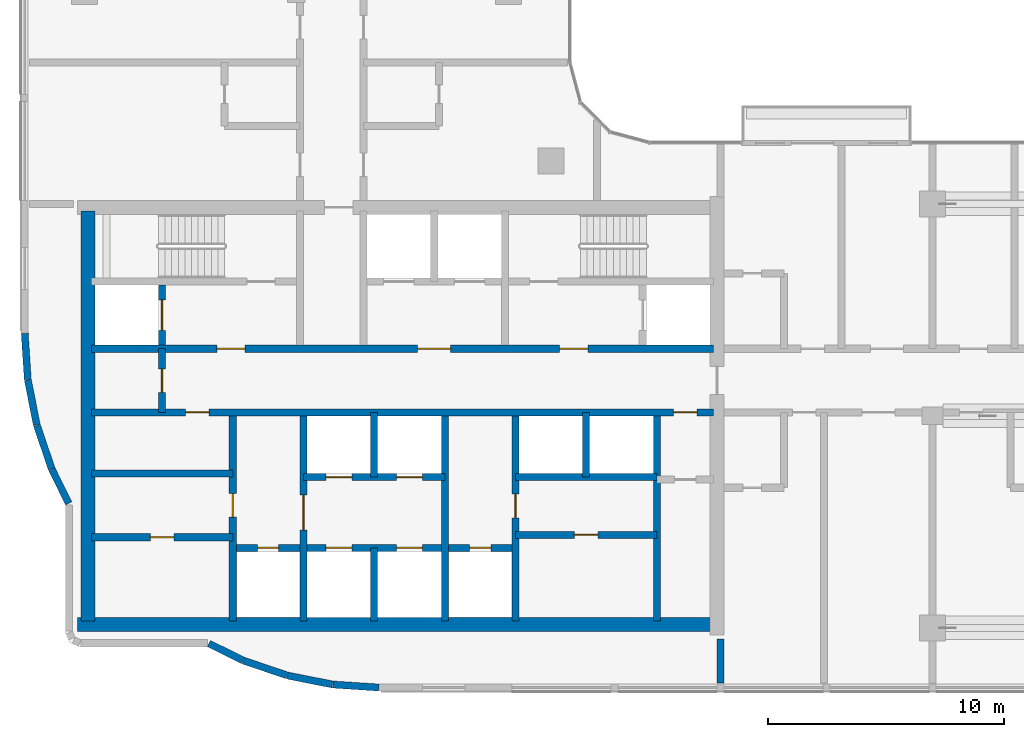
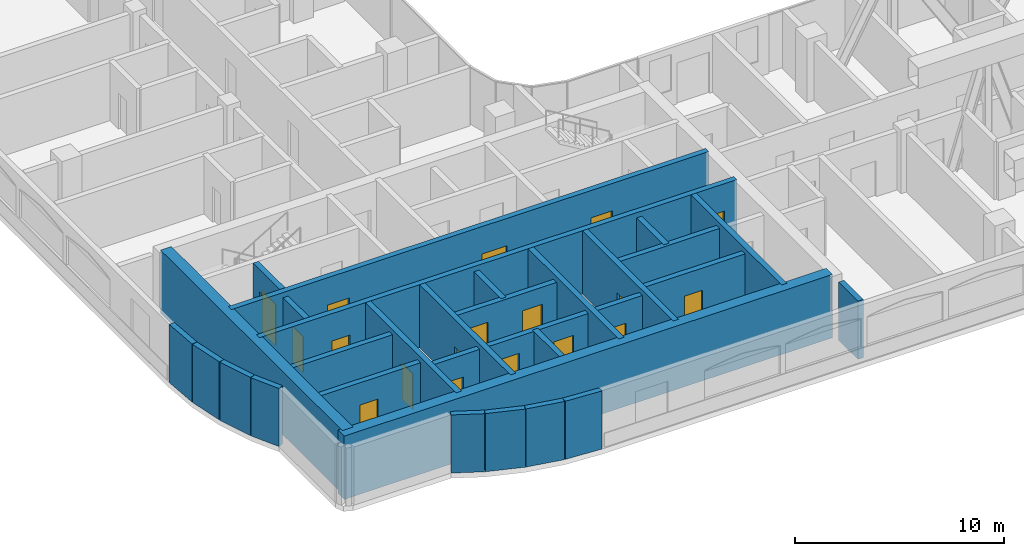
# One storey, part 9 of 25: 29 walls, 18 doors, 18 openings.
"""IFC4 building model written with IfcOpenShell, lengths in metres."""

from ifc_helpers import new_model, si_unit, direction, frame, frame_2d, origin, place, context, subcontext, project, spatial, rectangle, extrude, material, layer, layer_set, type_object, element, fill, save


model = new_model("IFC4")

# Units and contexts
model_context = context("Model", 3, precision=1e-05, world=origin(), true_north=direction((0.0, 1.0)))
body_context = subcontext(model_context, "Body", "Model", "MODEL_VIEW")
ifc_project = project(units=[si_unit("LENGTHUNIT", "METRE"), si_unit("AREAUNIT", "SQUARE_METRE"), si_unit("VOLUMEUNIT", "CUBIC_METRE"), si_unit("PLANEANGLEUNIT", "RADIAN"), si_unit("MASSUNIT", "GRAM", prefix="KILO")], contexts=[model_context])

# Site, building, storey
site_placement = place(None, origin())
site = spatial("IfcSite", under=ifc_project, at=site_placement, CompositionType="ELEMENT")
building_placement = place(site_placement, origin())
building = spatial("IfcBuilding", under=site, at=building_placement, Name="Ogive Portal Towers", CompositionType="ELEMENT")
storey_placement = place(building_placement, frame((0.0, 0.0, 182.89990234375)))
storey = spatial("IfcBuildingStorey", under=building, at=storey_placement, Name="L45", CompositionType="ELEMENT", Elevation=182.89990234375)

# Wall, opening, door
ifc_material_1 = material(Name="Concrete C60/75", Category="concrete")
ifc_layer_1 = layer(ifc_material_1, 0.300048828125)
ifc_layer_set_1 = layer_set([ifc_layer_1], Name="CORE WALL 300 C60")
wall_type_1 = type_object("IfcWallType", Name="CORE WALL 300 C60", PredefinedType="SHEAR", material=ifc_layer_set_1)
wall_1_placement = place(storey_placement, frame((37.800048828125, 21.800048828125, 0.0), z_axis=(0.0, 0.0, 1.0), x_axis=(0.0, 1.0, 0.0)))
wall_1 = element("IfcWall", 1, at=wall_1_placement, inside=storey, type_object=wall_type_1, Name="Core wall X1 L45", PredefinedType="SHEAR", context=body_context, shape_type="SweptSolid", body=[
    extrude(rectangle(XDim=8.699951171875, YDim=0.300048828125, at=frame_2d((4.35009765625, 0.0))), origin(), (0.0, 0.0, 1.0), 3.7001953125),
])
opening_1_placement = place(wall_1_placement, frame((4.39990234375, 0.0, 0.0)))
opening_1 = element("IfcOpeningElement", 2, at=opening_1_placement, cuts=wall_1, Name="Opening D20-022", PredefinedType="OPENING", context=body_context, shape_type="SweptSolid", body=[
    extrude(rectangle(XDim=1.0, YDim=2.10009765625, at=frame_2d((0.5, 1.050048828125))), frame((0.0, 0.16015625, 0.0), z_axis=(0.0, -1.0, 0.0), x_axis=(1.0, 0.0, 0.0)), (0.0, 0.0, 1.0), 0.320068359375),
])
ifc_material_2 = material(Name="Steel fire door", Category="steel")
door_type_1 = type_object("IfcDoorType", Name="DT-SWING-1000x2100-FD90S", OperationType="SINGLE_SWING_LEFT", PredefinedType="DOOR", material=ifc_material_2)
door_1_placement = place(opening_1_placement, origin())
door_1 = element("IfcDoor", 3, at=door_1_placement, inside=storey, type_object=door_type_1, Name="Door D20-022", OperationType="SINGLE_SWING_RIGHT", OverallHeight=2.10009765625, OverallWidth=1.0, PredefinedType="DOOR", context=body_context, shape_type="SweptSolid", body=[
    extrude(rectangle(XDim=1.0, YDim=2.10009765625, at=frame_2d((0.5, 1.050048828125))), frame((0.0, 0.02490234375, 0.0), z_axis=(0.0, -1.0, 0.0), x_axis=(1.0, 0.0, 0.0)), (0.0, 0.0, 1.0), 0.050048828125),
])
fill(opening_1, door_1)

wall_2_placement = place(storey_placement, frame((40.800048828125, 21.800048828125, 0.0), z_axis=(0.0, 0.0, 1.0), x_axis=(0.0, 1.0, 0.0)))
wall_2 = element("IfcWall", 4, at=wall_2_placement, inside=storey, type_object=wall_type_1, Name="Core wall X2 L45", PredefinedType="SHEAR", context=body_context, shape_type="SweptSolid", body=[
    extrude(rectangle(XDim=8.699951171875, YDim=0.300048828125, at=frame_2d((4.35009765625, 0.0))), origin(), (0.0, 0.0, 1.0), 3.7001953125),
])
opening_2_placement = place(wall_2_placement, frame((3.85009765625, 0.0, 0.0)))
opening_2 = element("IfcOpeningElement", 5, at=opening_2_placement, cuts=wall_2, Name="Opening D20-001", PredefinedType="OPENING", context=body_context, shape_type="SweptSolid", body=[
    extrude(rectangle(XDim=1.5, YDim=2.10009765625, at=frame_2d((0.75, 1.050048828125))), frame((0.0, 0.16015625, 0.0), z_axis=(0.0, -1.0, 0.0), x_axis=(1.0, 0.0, 0.0)), (0.0, 0.0, 1.0), 0.320068359375),
])
door_type_2 = type_object("IfcDoorType", Name="DT-SWING-1500x2100-FD90S", OperationType="SINGLE_SWING_LEFT", PredefinedType="DOOR", material=ifc_material_2)
door_2_placement = place(opening_2_placement, origin())
door_2 = element("IfcDoor", 6, at=door_2_placement, inside=storey, type_object=door_type_2, Name="Door D20-001", OperationType="SINGLE_SWING_RIGHT", OverallHeight=2.10009765625, OverallWidth=1.5, PredefinedType="DOOR", context=body_context, shape_type="SweptSolid", body=[
    extrude(rectangle(XDim=1.5, YDim=2.10009765625, at=frame_2d((0.75, 1.050048828125))), frame((0.0, 0.02490234375, 0.0), z_axis=(0.0, -1.0, 0.0), x_axis=(1.0, 0.0, 0.0)), (0.0, 0.0, 1.0), 0.050048828125),
])
fill(opening_2, door_2)

# Wall
wall_3_placement = place(storey_placement, frame((46.800048828125, 21.800048828125, 0.0), z_axis=(0.0, 0.0, 1.0), x_axis=(0.0, 1.0, 0.0)))
element("IfcWall", 7, at=wall_3_placement, inside=storey, type_object=wall_type_1, Name="Core wall X3 L45", PredefinedType="SHEAR", context=body_context, shape_type="SweptSolid", body=[
    extrude(rectangle(XDim=8.699951171875, YDim=0.300048828125, at=frame_2d((4.35009765625, 0.0))), origin(), (0.0, 0.0, 1.0), 3.7001953125),
])

# Wall, opening, door
wall_4_placement = place(storey_placement, frame((49.800048828125, 21.800048828125, 0.0), z_axis=(0.0, 0.0, 1.0), x_axis=(0.0, 1.0, 0.0)))
wall_4 = element("IfcWall", 8, at=wall_4_placement, inside=storey, type_object=wall_type_1, Name="Core wall X4 L45", PredefinedType="SHEAR", context=body_context, shape_type="SweptSolid", body=[
    extrude(rectangle(XDim=8.699951171875, YDim=0.300048828125, at=frame_2d((4.35009765625, 0.0))), origin(), (0.0, 0.0, 1.0), 3.7001953125),
])
opening_3_placement = place(wall_4_placement, frame((4.375, 0.0, 0.0)))
opening_3 = element("IfcOpeningElement", 9, at=opening_3_placement, cuts=wall_4, Name="Opening D20-024", PredefinedType="OPENING", context=body_context, shape_type="SweptSolid", body=[
    extrude(rectangle(XDim=1.0, YDim=2.10009765625, at=frame_2d((0.5, 1.050048828125))), frame((0.0, 0.16015625, 0.0), z_axis=(0.0, -1.0, 0.0), x_axis=(1.0, 0.0, 0.0)), (0.0, 0.0, 1.0), 0.320068359375),
])
door_3_placement = place(opening_3_placement, origin())
door_3 = element("IfcDoor", 10, at=door_3_placement, inside=storey, type_object=door_type_1, Name="Door D20-024", OperationType="SINGLE_SWING_RIGHT", OverallHeight=2.10009765625, OverallWidth=1.0, PredefinedType="DOOR", context=body_context, shape_type="SweptSolid", body=[
    extrude(rectangle(XDim=1.0, YDim=2.10009765625, at=frame_2d((0.5, 1.050048828125))), frame((0.0, 0.02490234375, 0.0), z_axis=(0.0, -1.0, 0.0), x_axis=(1.0, 0.0, 0.0)), (0.0, 0.0, 1.0), 0.050048828125),
])
fill(opening_3, door_3)

# Wall
wall_5_placement = place(storey_placement, frame((55.800048828125, 21.800048828125, 0.0), z_axis=(0.0, 0.0, 1.0), x_axis=(0.0, 1.0, 0.0)))
element("IfcWall", 11, at=wall_5_placement, inside=storey, type_object=wall_type_1, Name="Core wall X5 L45", PredefinedType="SHEAR", context=body_context, shape_type="SweptSolid", body=[
    extrude(rectangle(XDim=8.699951171875, YDim=0.300048828125, at=frame_2d((4.35009765625, 0.0))), origin(), (0.0, 0.0, 1.0), 3.7001953125),
])

# Wall, openings, doors
wall_6_placement = place(storey_placement, frame((31.800048828125, 30.64990234375, 0.0), z_axis=(0.0, 0.0, 1.0), x_axis=(1.0, 0.0, 0.0)))
wall_6 = element("IfcWall", 12, at=wall_6_placement, inside=storey, type_object=wall_type_1, Name="Core wall Y1 L45", PredefinedType="SHEAR", context=body_context, shape_type="SweptSolid", body=[
    extrude(rectangle(XDim=26.39990234375, YDim=0.300048828125, at=frame_2d((13.199951171875, 0.0))), origin(), (0.0, 0.0, 1.0), 3.7001953125),
])
opening_4_placement = place(wall_6_placement, frame((24.699951171875, 0.0, 0.0)))
opening_4 = element("IfcOpeningElement", 13, at=opening_4_placement, cuts=wall_6, Name="Opening D20-009", PredefinedType="OPENING", context=body_context, shape_type="SweptSolid", body=[
    extrude(rectangle(XDim=1.0, YDim=2.10009765625, at=frame_2d((0.5, 1.050048828125))), frame((0.0, 0.16015625, 0.0), z_axis=(0.0, -1.0, 0.0), x_axis=(1.0, 0.0, 0.0)), (0.0, 0.0, 1.0), 0.320068359375),
])
opening_5_placement = place(wall_6_placement, frame((4.0, 0.0, 0.0)))
opening_5 = element("IfcOpeningElement", 14, at=opening_5_placement, cuts=wall_6, Name="Opening D20-021", PredefinedType="OPENING", context=body_context, shape_type="SweptSolid", body=[
    extrude(rectangle(XDim=1.0, YDim=2.10009765625, at=frame_2d((0.5, 1.050048828125))), frame((0.0, 0.16015625, 0.0), z_axis=(0.0, -1.0, 0.0), x_axis=(1.0, 0.0, 0.0)), (0.0, 0.0, 1.0), 0.320068359375),
])
door_4_placement = place(opening_4_placement, origin())
door_4 = element("IfcDoor", 15, at=door_4_placement, inside=storey, type_object=door_type_1, Name="Door D20-009", OperationType="SINGLE_SWING_LEFT", OverallHeight=2.10009765625, OverallWidth=1.0, PredefinedType="DOOR", context=body_context, shape_type="SweptSolid", body=[
    extrude(rectangle(XDim=1.0, YDim=2.10009765625, at=frame_2d((0.5, 1.050048828125))), frame((0.0, 0.02490234375, 0.0), z_axis=(0.0, -1.0, 0.0), x_axis=(1.0, 0.0, 0.0)), (0.0, 0.0, 1.0), 0.050048828125),
])
fill(opening_4, door_4)
door_5_placement = place(opening_5_placement, origin())
door_5 = element("IfcDoor", 16, at=door_5_placement, inside=storey, type_object=door_type_1, Name="Door D20-021", OperationType="SINGLE_SWING_LEFT", OverallHeight=2.10009765625, OverallWidth=1.0, PredefinedType="DOOR", context=body_context, shape_type="SweptSolid", body=[
    extrude(rectangle(XDim=1.0, YDim=2.10009765625, at=frame_2d((0.5, 1.050048828125))), frame((0.0, 0.02490234375, 0.0), z_axis=(0.0, -1.0, 0.0), x_axis=(1.0, 0.0, 0.0)), (0.0, 0.0, 1.0), 0.050048828125),
])
fill(opening_5, door_5)

wall_7_placement = place(storey_placement, frame((31.800048828125, 33.35009765625, 0.0), z_axis=(0.0, 0.0, 1.0), x_axis=(1.0, 0.0, 0.0)))
wall_7 = element("IfcWall", 17, at=wall_7_placement, inside=storey, type_object=wall_type_1, Name="Core wall Y2 L45", PredefinedType="SHEAR", context=body_context, shape_type="SweptSolid", body=[
    extrude(rectangle(XDim=26.39990234375, YDim=0.300048828125, at=frame_2d((13.199951171875, 0.0))), origin(), (0.0, 0.0, 1.0), 3.7001953125),
])
opening_6_placement = place(wall_7_placement, frame((13.85009765625, 0.0, 0.0)))
opening_6 = element("IfcOpeningElement", 18, at=opening_6_placement, cuts=wall_7, Name="Opening D20-002", PredefinedType="OPENING", context=body_context, shape_type="SweptSolid", body=[
    extrude(rectangle(XDim=1.39990234375, YDim=2.10009765625, at=frame_2d((0.699951171875, 1.050048828125))), frame((0.0, 0.16015625, 0.0), z_axis=(0.0, -1.0, 0.0), x_axis=(1.0, 0.0, 0.0)), (0.0, 0.0, 1.0), 0.320068359375),
])
opening_7_placement = place(wall_7_placement, frame((5.324951171875, 0.0, 0.0)))
opening_7 = element("IfcOpeningElement", 19, at=opening_7_placement, cuts=wall_7, Name="Opening D20-003", PredefinedType="OPENING", context=body_context, shape_type="SweptSolid", body=[
    extrude(rectangle(XDim=1.199951171875, YDim=2.10009765625, at=frame_2d((0.60009765625, 1.050048828125))), frame((0.0, 0.16015625, 0.0), z_axis=(0.0, -1.0, 0.0), x_axis=(1.0, 0.0, 0.0)), (0.0, 0.0, 1.0), 0.320068359375),
])
opening_8_placement = place(wall_7_placement, frame((19.875, 0.0, 0.0)))
opening_8 = element("IfcOpeningElement", 20, at=opening_8_placement, cuts=wall_7, Name="Opening D20-004", PredefinedType="OPENING", context=body_context, shape_type="SweptSolid", body=[
    extrude(rectangle(XDim=1.199951171875, YDim=2.10009765625, at=frame_2d((0.60009765625, 1.050048828125))), frame((0.0, 0.16015625, 0.0), z_axis=(0.0, -1.0, 0.0), x_axis=(1.0, 0.0, 0.0)), (0.0, 0.0, 1.0), 0.320068359375),
])
door_type_3 = type_object("IfcDoorType", Name="DT-SWING-1200x2100-FD90S", OperationType="SINGLE_SWING_LEFT", PredefinedType="DOOR", material=ifc_material_2)
door_6_placement = place(opening_7_placement, origin())
door_6 = element("IfcDoor", 21, at=door_6_placement, inside=storey, type_object=door_type_3, Name="Door D20-003", OperationType="SINGLE_SWING_LEFT", OverallHeight=2.10009765625, OverallWidth=1.199951171875, PredefinedType="DOOR", context=body_context, shape_type="SweptSolid", body=[
    extrude(rectangle(XDim=1.199951171875, YDim=2.10009765625, at=frame_2d((0.60009765625, 1.050048828125))), frame((0.0, 0.02490234375, 0.0), z_axis=(0.0, -1.0, 0.0), x_axis=(1.0, 0.0, 0.0)), (0.0, 0.0, 1.0), 0.050048828125),
])
fill(opening_7, door_6)
door_7_placement = place(opening_8_placement, origin())
door_7 = element("IfcDoor", 22, at=door_7_placement, inside=storey, type_object=door_type_3, Name="Door D20-004", OperationType="SINGLE_SWING_RIGHT", OverallHeight=2.10009765625, OverallWidth=1.199951171875, PredefinedType="DOOR", context=body_context, shape_type="SweptSolid", body=[
    extrude(rectangle(XDim=1.199951171875, YDim=2.10009765625, at=frame_2d((0.60009765625, 1.050048828125))), frame((0.0, 0.02490234375, 0.0), z_axis=(0.0, -1.0, 0.0), x_axis=(1.0, 0.0, 0.0)), (0.0, 0.0, 1.0), 0.050048828125),
])
fill(opening_8, door_7)
door_type_4 = type_object("IfcDoorType", Name="DT-SWING-1400x2100-FD90S", OperationType="SINGLE_SWING_LEFT", PredefinedType="DOOR", material=ifc_material_2)
door_8_placement = place(opening_6_placement, origin())
door_8 = element("IfcDoor", 23, at=door_8_placement, inside=storey, type_object=door_type_4, Name="Door D20-002", OperationType="SINGLE_SWING_RIGHT", OverallHeight=2.10009765625, OverallWidth=1.39990234375, PredefinedType="DOOR", context=body_context, shape_type="SweptSolid", body=[
    extrude(rectangle(XDim=1.39990234375, YDim=2.10009765625, at=frame_2d((0.699951171875, 1.050048828125))), frame((0.0, 0.02490234375, 0.0), z_axis=(0.0, -1.0, 0.0), x_axis=(1.0, 0.0, 0.0)), (0.0, 0.0, 1.0), 0.050048828125),
])
fill(opening_6, door_8)

# Wall, opening, door
wall_8_placement = place(storey_placement, frame((34.800048828125, 33.5, 0.0), z_axis=(0.0, 0.0, 1.0), x_axis=(0.0, 1.0, 0.0)))
wall_8 = element("IfcWall", 24, at=wall_8_placement, inside=storey, type_object=wall_type_1, Name="Core wall X8 L45", PredefinedType="SHEAR", context=body_context, shape_type="SweptSolid", body=[
    extrude(rectangle(XDim=2.550048828125, YDim=0.300048828125, at=frame_2d((1.27490234375, 0.0))), origin(), (0.0, 0.0, 1.0), 3.7001953125),
])
opening_9_placement = place(wall_8_placement, frame((0.625, 0.0, 0.0)))
opening_9 = element("IfcOpeningElement", 25, at=opening_9_placement, cuts=wall_8, Name="Opening D20-019", PredefinedType="OPENING", context=body_context, shape_type="SweptSolid", body=[
    extrude(rectangle(XDim=1.300048828125, YDim=2.39990234375, at=frame_2d((0.64990234375, 1.199951171875))), frame((0.0, 0.16015625, 0.0), z_axis=(0.0, -1.0, 0.0), x_axis=(1.0, 0.0, 0.0)), (0.0, 0.0, 1.0), 0.320068359375),
])
ifc_material_3 = material(Name="Stainless steel", Category="steel")
door_type_5 = type_object("IfcDoorType", Name="DT-LD-1300x2400", OperationType="SLIDING_TO_LEFT", PredefinedType="DOOR", material=ifc_material_3)
door_9_placement = place(opening_9_placement, origin())
door_9 = element("IfcDoor", 26, at=door_9_placement, inside=storey, type_object=door_type_5, Name="Door D20-019", OperationType="SLIDING_TO_LEFT", OverallHeight=2.39990234375, OverallWidth=1.300048828125, PredefinedType="DOOR", context=body_context, shape_type="SweptSolid", body=[
    extrude(rectangle(XDim=1.300048828125, YDim=2.39990234375, at=frame_2d((0.64990234375, 1.199951171875))), frame((0.0, 0.02490234375, 0.0), z_axis=(0.0, -1.0, 0.0), x_axis=(1.0, 0.0, 0.0)), (0.0, 0.0, 1.0), 0.050048828125),
])
fill(opening_9, door_9)

# Walls
ifc_layer_2 = layer(ifc_material_1, 0.60009765625)
ifc_layer_set_2 = layer_set([ifc_layer_2], Name="CORE WALL 600 C60")
wall_type_2 = type_object("IfcWallType", Name="CORE WALL 600 C60", PredefinedType="SHEAR", material=ifc_layer_set_2)
wall_9_placement = place(storey_placement, frame((31.64990234375, 21.800048828125, 0.0), z_axis=(0.0, 0.0, 1.0), x_axis=(0.0, 1.0, 0.0)))
element("IfcWall", 27, at=wall_9_placement, inside=storey, type_object=wall_type_2, Name="Core wall W L45", PredefinedType="SHEAR", context=body_context, shape_type="SweptSolid", body=[
    extrude(rectangle(XDim=17.39990234375, YDim=0.60009765625, at=frame_2d((8.699951171875, 0.0))), origin(), (0.0, 0.0, 1.0), 3.7001953125),
])
wall_10_placement = place(storey_placement, frame((31.199951171875, 21.64990234375, 0.0), z_axis=(0.0, 0.0, 1.0), x_axis=(1.0, 0.0, 0.0)))
element("IfcWall", 28, at=wall_10_placement, inside=storey, type_object=wall_type_2, Name="Core wall S L45", PredefinedType="SHEAR", context=body_context, shape_type="SweptSolid", body=[
    extrude(rectangle(XDim=27.0, YDim=0.60009765625, at=frame_2d((13.5, 0.0))), origin(), (0.0, 0.0, 1.0), 3.7001953125),
])
ifc_material_4 = material(Name="Limestone cladding on lightweight block wall", Category="masonry")
ifc_layer_3 = layer(ifc_material_4, 0.300048828125)
ifc_layer_set_3 = layer_set([ifc_layer_3], Name="EXTERNAL WALL 300 STONE")
wall_type_3 = type_object("IfcWallType", Name="EXTERNAL WALL 300 STONE", PredefinedType="SOLIDWALL", material=ifc_layer_set_3)
wall_11_placement = place(storey_placement, frame((36.7880859375, 20.83447265625, 0.0), z_axis=(0.0, 0.0, 1.0), x_axis=(0.896857753975, -0.442319080682, 0.0)))
element("IfcWall", 29, at=wall_11_placement, inside=storey, type_object=wall_type_3, Name="A:L45:f04:r0:wall", PredefinedType="SOLIDWALL", context=body_context, shape_type="SweptSolid", body=[
    extrude(rectangle(XDim=1.618408203125, YDim=0.300048828125, at=frame_2d((0.80908203125, 0.0))), origin(), (0.0, 0.0, 1.0), 3.400146484375),
])
for number, where, z_axis, x_axis, name in (
    (30, (38.2578125, 20.111328125, 0.0), (0.0, 0.0, 1.0), (0.946912572858, -0.32149118085, 0.0), "A:L45:f05:r0:wall"),
    (31, (40.11962890625, 19.48046875, 0.0), (0.0, 0.0, 1.0), (0.980792379364, -0.195054629737, 0.0), "A:L45:f06:r0:wall"),
):
    element("IfcWall", number, at=place(storey_placement, frame(where, z_axis=z_axis, x_axis=x_axis)), inside=storey, type_object=wall_type_3, Name=name, PredefinedType="SOLIDWALL", context=body_context, shape_type="SweptSolid", body=[
        extrude(rectangle(XDim=1.9462890625, YDim=0.300048828125, at=frame_2d((0.97314453125, 0.0))), origin(), (0.0, 0.0, 1.0), 3.400146484375),
    ])
for number, where, z_axis, x_axis, name in (
    (32, (42.048095703125, 19.09814453125, 0.0), (0.0, 0.0, 1.0), (0.997859086025, -0.065400645538, 0.0), "A:L45:f07:r0:wall"),
    (33, (28.97021484375, 34.0, 0.0), (0.0, 0.0, 1.0), (0.065400645538, -0.997859086025, 0.0), "A:L45:f28:r0:wall"),
):
    element("IfcWall", number, at=place(storey_placement, frame(where, z_axis=z_axis, x_axis=x_axis)), inside=storey, type_object=wall_type_3, Name=name, PredefinedType="SOLIDWALL", context=body_context, shape_type="SweptSolid", body=[
        extrude(rectangle(XDim=1.9560546875, YDim=0.300048828125, at=frame_2d((0.97802734375, 0.0))), origin(), (0.0, 0.0, 1.0), 3.400146484375),
    ])
for number, where, z_axis, x_axis, name in (
    (34, (29.100830078125, 32.028564453125, 0.0), (0.0, 0.0, 1.0), (0.195054629737, -0.980792379364, 0.0), "A:L45:f29:r0:wall"),
    (35, (29.485595703125, 30.100830078125, 0.0), (0.0, 0.0, 1.0), (0.32149118085, -0.946912572858, 0.0), "A:L45:f30:r0:wall"),
):
    element("IfcWall", number, at=place(storey_placement, frame(where, z_axis=z_axis, x_axis=x_axis)), inside=storey, type_object=wall_type_3, Name=name, PredefinedType="SOLIDWALL", context=body_context, shape_type="SweptSolid", body=[
        extrude(rectangle(XDim=1.9462890625, YDim=0.300048828125, at=frame_2d((0.97314453125, 0.0))), origin(), (0.0, 0.0, 1.0), 3.400146484375),
    ])
wall_12_placement = place(storey_placement, frame((30.11865234375, 28.239501953125, 0.0), z_axis=(0.0, 0.0, 1.0), x_axis=(0.442319080682, -0.896857753975, 0.0)))
element("IfcWall", 36, at=wall_12_placement, inside=storey, type_object=wall_type_3, Name="A:L45:f31:r0:wall", PredefinedType="SOLIDWALL", context=body_context, shape_type="SweptSolid", body=[
    extrude(rectangle(XDim=1.618408203125, YDim=0.300048828125, at=frame_2d((0.80908203125, 0.0))), origin(), (0.0, 0.0, 1.0), 3.400146484375),
])

# Wall, opening, door
ifc_material_5 = material(Name="Gypsum board partition on steel studs", Category="steel")
ifc_layer_4 = layer(ifc_material_5, 0.300048828125)
ifc_layer_set_4 = layer_set([ifc_layer_4], Name="WT-PART-300")
wall_type_4 = type_object("IfcWallType", Name="WT-PART-300", PredefinedType="PARTITIONING", material=ifc_layer_set_4)
wall_13_placement = place(storey_placement, frame((31.800048828125, 25.35009765625, 0.0), z_axis=(0.0, 0.0, 1.0), x_axis=(1.0, 0.0, 0.0)))
wall_13 = element("IfcWall", 37, at=wall_13_placement, inside=storey, type_object=wall_type_4, Name="Wall pw:002:L45", PredefinedType="PARTITIONING", context=body_context, shape_type="SweptSolid", body=[
    extrude(rectangle(XDim=6.0, YDim=0.300048828125, at=frame_2d((3.0, 0.0))), origin(), (0.0, 0.0, 1.0), 3.400146484375),
])
opening_10_placement = place(wall_13_placement, frame((2.5, 0.0, 0.0)))
opening_10 = element("IfcOpeningElement", 38, at=opening_10_placement, cuts=wall_13, Name="Opening D20-023", PredefinedType="OPENING", context=body_context, shape_type="SweptSolid", body=[
    extrude(rectangle(XDim=1.0, YDim=2.10009765625, at=frame_2d((0.5, 1.050048828125))), frame((0.0, 0.16015625, 0.0), z_axis=(0.0, -1.0, 0.0), x_axis=(1.0, 0.0, 0.0)), (0.0, 0.0, 1.0), 0.320068359375),
])
door_type_6 = type_object("IfcDoorType", Name="DT-SWING-1000x2100-FD60S", OperationType="SINGLE_SWING_LEFT", PredefinedType="DOOR", material=ifc_material_2)
door_10_placement = place(opening_10_placement, origin())
door_10 = element("IfcDoor", 39, at=door_10_placement, inside=storey, type_object=door_type_6, Name="Door D20-023", OperationType="SINGLE_SWING_RIGHT", OverallHeight=2.10009765625, OverallWidth=1.0, PredefinedType="DOOR", context=body_context, shape_type="SweptSolid", body=[
    extrude(rectangle(XDim=1.0, YDim=2.10009765625, at=frame_2d((0.5, 1.050048828125))), frame((0.0, 0.02490234375, 0.0), z_axis=(0.0, -1.0, 0.0), x_axis=(1.0, 0.0, 0.0)), (0.0, 0.0, 1.0), 0.050048828125),
])
fill(opening_10, door_10)

wall_14_placement = place(storey_placement, frame((49.800048828125, 25.449951171875, 0.0), z_axis=(0.0, 0.0, 1.0), x_axis=(1.0, 0.0, 0.0)))
wall_14 = element("IfcWall", 40, at=wall_14_placement, inside=storey, type_object=wall_type_4, Name="Wall pw:003:L45", PredefinedType="PARTITIONING", context=body_context, shape_type="SweptSolid", body=[
    extrude(rectangle(XDim=6.0, YDim=0.300048828125, at=frame_2d((3.0, 0.0))), origin(), (0.0, 0.0, 1.0), 3.400146484375),
])
opening_11_placement = place(wall_14_placement, frame((2.5, 0.0, 0.0)))
opening_11 = element("IfcOpeningElement", 41, at=opening_11_placement, cuts=wall_14, Name="Opening D20-025", PredefinedType="OPENING", context=body_context, shape_type="SweptSolid", body=[
    extrude(rectangle(XDim=1.0, YDim=2.10009765625, at=frame_2d((0.5, 1.050048828125))), frame((0.0, 0.16015625, 0.0), z_axis=(0.0, -1.0, 0.0), x_axis=(1.0, 0.0, 0.0)), (0.0, 0.0, 1.0), 0.320068359375),
])
door_11_placement = place(opening_11_placement, origin())
door_11 = element("IfcDoor", 42, at=door_11_placement, inside=storey, type_object=door_type_6, Name="Door D20-025", OperationType="SINGLE_SWING_RIGHT", OverallHeight=2.10009765625, OverallWidth=1.0, PredefinedType="DOOR", context=body_context, shape_type="SweptSolid", body=[
    extrude(rectangle(XDim=1.0, YDim=2.10009765625, at=frame_2d((0.5, 1.050048828125))), frame((0.0, 0.02490234375, 0.0), z_axis=(0.0, -1.0, 0.0), x_axis=(1.0, 0.0, 0.0)), (0.0, 0.0, 1.0), 0.050048828125),
])
fill(opening_11, door_11)

# Walls
wall_15_placement = place(storey_placement, frame((31.800048828125, 28.050048828125, 0.0), z_axis=(0.0, 0.0, 1.0), x_axis=(1.0, 0.0, 0.0)))
element("IfcWall", 43, at=wall_15_placement, inside=storey, type_object=wall_type_4, Name="Wall pw:007:L45", PredefinedType="PARTITIONING", context=body_context, shape_type="SweptSolid", body=[
    extrude(rectangle(XDim=6.0, YDim=0.300048828125, at=frame_2d((3.0, 0.0))), origin(), (0.0, 0.0, 1.0), 3.400146484375),
])
ifc_layer_5 = layer(ifc_material_5, 0.300048828125)
ifc_layer_set_5 = layer_set([ifc_layer_5], Name="WT-PART-300-EI 60")
wall_type_5 = type_object("IfcWallType", Name="WT-PART-300-EI 60", PredefinedType="PARTITIONING", material=ifc_layer_set_5)
wall_16_placement = place(storey_placement, frame((58.5, 19.169921875, 0.0), z_axis=(0.0, 0.0, 1.0), x_axis=(0.0, 1.0, 0.0)))
element("IfcWall", 44, at=wall_16_placement, inside=storey, type_object=wall_type_5, Name="Wall L45:w047", PredefinedType="PARTITIONING", context=body_context, shape_type="SweptSolid", body=[
    extrude(rectangle(XDim=1.860107421875, YDim=0.300048828125, at=frame_2d((0.93017578125, 0.0))), origin(), (0.0, 0.0, 1.0), 3.400146484375),
])

# Wall, openings, doors
ifc_material_6 = material(Name="Concrete C40/50", Category="concrete")
ifc_layer_6 = layer(ifc_material_6, 0.300048828125)
ifc_layer_set_6 = layer_set([ifc_layer_6], Name="WT-SHAFT-300")
wall_type_6 = type_object("IfcWallType", Name="WT-SHAFT-300", PredefinedType="SOLIDWALL", material=ifc_layer_set_6)
wall_17_placement = place(storey_placement, frame((37.800048828125, 24.89990234375, 0.0), z_axis=(0.0, 0.0, 1.0), x_axis=(1.0, 0.0, 0.0)))
wall_17 = element("IfcWall", 45, at=wall_17_placement, inside=storey, type_object=wall_type_6, Name="Wall pw:001:L45", PredefinedType="SOLIDWALL", context=body_context, shape_type="SweptSolid", body=[
    extrude(rectangle(XDim=12.0, YDim=0.300048828125, at=frame_2d((6.0, 0.0))), origin(), (0.0, 0.0, 1.0), 3.400146484375),
])
opening_12_placement = place(wall_17_placement, frame((1.050048828125, 0.0, 0.0)))
opening_12 = element("IfcOpeningElement", 46, at=opening_12_placement, cuts=wall_17, Name="Opening D20-007", PredefinedType="OPENING", context=body_context, shape_type="SweptSolid", body=[
    extrude(rectangle(XDim=0.89990234375, YDim=2.10009765625, at=frame_2d((0.449951171875, 1.050048828125))), frame((0.0, 0.16015625, 0.0), z_axis=(0.0, -1.0, 0.0), x_axis=(1.0, 0.0, 0.0)), (0.0, 0.0, 1.0), 0.320068359375),
])
opening_13_placement = place(wall_17_placement, frame((10.050048828125, 0.0, 0.0)))
opening_13 = element("IfcOpeningElement", 47, at=opening_13_placement, cuts=wall_17, Name="Opening D20-008", PredefinedType="OPENING", context=body_context, shape_type="SweptSolid", body=[
    extrude(rectangle(XDim=0.89990234375, YDim=2.10009765625, at=frame_2d((0.449951171875, 1.050048828125))), frame((0.0, 0.16015625, 0.0), z_axis=(0.0, -1.0, 0.0), x_axis=(1.0, 0.0, 0.0)), (0.0, 0.0, 1.0), 0.320068359375),
])
opening_14_placement = place(wall_17_placement, frame((3.949951171875, 0.0, 0.0)))
opening_14 = element("IfcOpeningElement", 48, at=opening_14_placement, cuts=wall_17, Name="Opening D20-013", PredefinedType="OPENING", context=body_context, shape_type="SweptSolid", body=[
    extrude(rectangle(XDim=1.10009765625, YDim=2.39990234375, at=frame_2d((0.550048828125, 1.199951171875))), frame((0.0, 0.16015625, 0.0), z_axis=(0.0, -1.0, 0.0), x_axis=(1.0, 0.0, 0.0)), (0.0, 0.0, 1.0), 0.320068359375),
])
opening_15_placement = place(wall_17_placement, frame((6.949951171875, 0.0, 0.0)))
opening_15 = element("IfcOpeningElement", 49, at=opening_15_placement, cuts=wall_17, Name="Opening D20-014", PredefinedType="OPENING", context=body_context, shape_type="SweptSolid", body=[
    extrude(rectangle(XDim=1.10009765625, YDim=2.39990234375, at=frame_2d((0.550048828125, 1.199951171875))), frame((0.0, 0.16015625, 0.0), z_axis=(0.0, -1.0, 0.0), x_axis=(1.0, 0.0, 0.0)), (0.0, 0.0, 1.0), 0.320068359375),
])
door_type_7 = type_object("IfcDoorType", Name="DT-LD-1100x2400", OperationType="SLIDING_TO_LEFT", PredefinedType="DOOR", material=ifc_material_3)
door_12_placement = place(opening_14_placement, origin())
door_12 = element("IfcDoor", 50, at=door_12_placement, inside=storey, type_object=door_type_7, Name="Door D20-013", OperationType="SLIDING_TO_LEFT", OverallHeight=2.39990234375, OverallWidth=1.10009765625, PredefinedType="DOOR", context=body_context, shape_type="SweptSolid", body=[
    extrude(rectangle(XDim=1.10009765625, YDim=2.39990234375, at=frame_2d((0.550048828125, 1.199951171875))), frame((0.0, 0.02490234375, 0.0), z_axis=(0.0, -1.0, 0.0), x_axis=(1.0, 0.0, 0.0)), (0.0, 0.0, 1.0), 0.050048828125),
])
fill(opening_14, door_12)
door_13_placement = place(opening_15_placement, origin())
door_13 = element("IfcDoor", 51, at=door_13_placement, inside=storey, type_object=door_type_7, Name="Door D20-014", OperationType="SLIDING_TO_LEFT", OverallHeight=2.39990234375, OverallWidth=1.10009765625, PredefinedType="DOOR", context=body_context, shape_type="SweptSolid", body=[
    extrude(rectangle(XDim=1.10009765625, YDim=2.39990234375, at=frame_2d((0.550048828125, 1.199951171875))), frame((0.0, 0.02490234375, 0.0), z_axis=(0.0, -1.0, 0.0), x_axis=(1.0, 0.0, 0.0)), (0.0, 0.0, 1.0), 0.050048828125),
])
fill(opening_15, door_13)
door_type_8 = type_object("IfcDoorType", Name="DT-SWING-900x2100-FD90S", OperationType="SINGLE_SWING_LEFT", PredefinedType="DOOR", material=ifc_material_2)
door_14_placement = place(opening_12_placement, origin())
door_14 = element("IfcDoor", 52, at=door_14_placement, inside=storey, type_object=door_type_8, Name="Riser access door D20-007", OperationType="SINGLE_SWING_LEFT", OverallHeight=2.10009765625, OverallWidth=0.89990234375, PredefinedType="DOOR", context=body_context, shape_type="SweptSolid", body=[
    extrude(rectangle(XDim=0.89990234375, YDim=2.10009765625, at=frame_2d((0.449951171875, 1.050048828125))), frame((0.0, 0.02490234375, 0.0), z_axis=(0.0, -1.0, 0.0), x_axis=(1.0, 0.0, 0.0)), (0.0, 0.0, 1.0), 0.050048828125),
])
fill(opening_12, door_14)
door_15_placement = place(opening_13_placement, origin())
door_15 = element("IfcDoor", 53, at=door_15_placement, inside=storey, type_object=door_type_8, Name="Riser access door D20-008", OperationType="SINGLE_SWING_RIGHT", OverallHeight=2.10009765625, OverallWidth=0.89990234375, PredefinedType="DOOR", context=body_context, shape_type="SweptSolid", body=[
    extrude(rectangle(XDim=0.89990234375, YDim=2.10009765625, at=frame_2d((0.449951171875, 1.050048828125))), frame((0.0, 0.02490234375, 0.0), z_axis=(0.0, -1.0, 0.0), x_axis=(1.0, 0.0, 0.0)), (0.0, 0.0, 1.0), 0.050048828125),
])
fill(opening_13, door_15)

wall_18_placement = place(storey_placement, frame((40.800048828125, 27.89990234375, 0.0), z_axis=(0.0, 0.0, 1.0), x_axis=(1.0, 0.0, 0.0)))
wall_18 = element("IfcWall", 54, at=wall_18_placement, inside=storey, type_object=wall_type_6, Name="Wall pw:005:L45", PredefinedType="SOLIDWALL", context=body_context, shape_type="SweptSolid", body=[
    extrude(rectangle(XDim=6.0, YDim=0.300048828125, at=frame_2d((3.0, 0.0))), origin(), (0.0, 0.0, 1.0), 3.400146484375),
])
opening_16_placement = place(wall_18_placement, frame((0.949951171875, 0.0, 0.0)))
opening_16 = element("IfcOpeningElement", 55, at=opening_16_placement, cuts=wall_18, Name="Opening D20-015", PredefinedType="OPENING", context=body_context, shape_type="SweptSolid", body=[
    extrude(rectangle(XDim=1.10009765625, YDim=2.39990234375, at=frame_2d((0.550048828125, 1.199951171875))), frame((0.0, 0.16015625, 0.0), z_axis=(0.0, -1.0, 0.0), x_axis=(1.0, 0.0, 0.0)), (0.0, 0.0, 1.0), 0.320068359375),
])
opening_17_placement = place(wall_18_placement, frame((3.949951171875, 0.0, 0.0)))
opening_17 = element("IfcOpeningElement", 56, at=opening_17_placement, cuts=wall_18, Name="Opening D20-016", PredefinedType="OPENING", context=body_context, shape_type="SweptSolid", body=[
    extrude(rectangle(XDim=1.10009765625, YDim=2.39990234375, at=frame_2d((0.550048828125, 1.199951171875))), frame((0.0, 0.16015625, 0.0), z_axis=(0.0, -1.0, 0.0), x_axis=(1.0, 0.0, 0.0)), (0.0, 0.0, 1.0), 0.320068359375),
])
door_16_placement = place(opening_16_placement, origin())
door_16 = element("IfcDoor", 57, at=door_16_placement, inside=storey, type_object=door_type_7, Name="Door D20-015", OperationType="SLIDING_TO_LEFT", OverallHeight=2.39990234375, OverallWidth=1.10009765625, PredefinedType="DOOR", context=body_context, shape_type="SweptSolid", body=[
    extrude(rectangle(XDim=1.10009765625, YDim=2.39990234375, at=frame_2d((0.550048828125, 1.199951171875))), frame((0.0, 0.02490234375, 0.0), z_axis=(0.0, -1.0, 0.0), x_axis=(1.0, 0.0, 0.0)), (0.0, 0.0, 1.0), 0.050048828125),
])
fill(opening_16, door_16)
door_17_placement = place(opening_17_placement, origin())
door_17 = element("IfcDoor", 58, at=door_17_placement, inside=storey, type_object=door_type_7, Name="Door D20-016", OperationType="SLIDING_TO_LEFT", OverallHeight=2.39990234375, OverallWidth=1.10009765625, PredefinedType="DOOR", context=body_context, shape_type="SweptSolid", body=[
    extrude(rectangle(XDim=1.10009765625, YDim=2.39990234375, at=frame_2d((0.550048828125, 1.199951171875))), frame((0.0, 0.02490234375, 0.0), z_axis=(0.0, -1.0, 0.0), x_axis=(1.0, 0.0, 0.0)), (0.0, 0.0, 1.0), 0.050048828125),
])
fill(opening_17, door_17)

# Wall
wall_19_placement = place(storey_placement, frame((49.800048828125, 27.89990234375, 0.0), z_axis=(0.0, 0.0, 1.0), x_axis=(1.0, 0.0, 0.0)))
element("IfcWall", 59, at=wall_19_placement, inside=storey, type_object=wall_type_6, Name="Wall pw:006:L45", PredefinedType="SOLIDWALL", context=body_context, shape_type="SweptSolid", body=[
    extrude(rectangle(XDim=6.0, YDim=0.300048828125, at=frame_2d((3.0, 0.0))), origin(), (0.0, 0.0, 1.0), 3.400146484375),
])

# Wall, opening, door
wall_20_placement = place(storey_placement, frame((34.800048828125, 30.64990234375, 0.0), z_axis=(0.0, 0.0, 1.0), x_axis=(0.0, 1.0, 0.0)))
wall_20 = element("IfcWall", 60, at=wall_20_placement, inside=storey, type_object=wall_type_6, Name="Wall pw:008:L45", PredefinedType="SOLIDWALL", context=body_context, shape_type="SweptSolid", body=[
    extrude(rectangle(XDim=2.7001953125, YDim=0.300048828125, at=frame_2d((1.35009765625, 0.0))), origin(), (0.0, 0.0, 1.0), 3.400146484375),
])
opening_18_placement = place(wall_20_placement, frame((0.85009765625, 0.0, 0.0)))
opening_18 = element("IfcOpeningElement", 61, at=opening_18_placement, cuts=wall_20, Name="Opening D20-026", PredefinedType="OPENING", context=body_context, shape_type="SweptSolid", body=[
    extrude(rectangle(XDim=1.0, YDim=2.10009765625, at=frame_2d((0.5, 1.050048828125))), frame((0.0, 0.16015625, 0.0), z_axis=(0.0, -1.0, 0.0), x_axis=(1.0, 0.0, 0.0)), (0.0, 0.0, 1.0), 0.320068359375),
])
door_18_placement = place(opening_18_placement, origin())
door_18 = element("IfcDoor", 62, at=door_18_placement, inside=storey, type_object=door_type_1, Name="Door D20-026", OperationType="SINGLE_SWING_RIGHT", OverallHeight=2.10009765625, OverallWidth=1.0, PredefinedType="DOOR", context=body_context, shape_type="SweptSolid", body=[
    extrude(rectangle(XDim=1.0, YDim=2.10009765625, at=frame_2d((0.5, 1.050048828125))), frame((0.0, 0.02490234375, 0.0), z_axis=(0.0, -1.0, 0.0), x_axis=(1.0, 0.0, 0.0)), (0.0, 0.0, 1.0), 0.050048828125),
])
fill(opening_18, door_18)

# Walls
wall_21_placement = place(storey_placement, frame((43.800048828125, 21.800048828125, 0.0), z_axis=(0.0, 0.0, 1.0), x_axis=(0.0, 1.0, 0.0)))
element("IfcWall", 63, at=wall_21_placement, inside=storey, type_object=wall_type_6, Name="Wall pw:009:L45", PredefinedType="SOLIDWALL", context=body_context, shape_type="SweptSolid", body=[
    extrude(rectangle(XDim=3.099853515625, YDim=0.300048828125, at=frame_2d((1.5498046875, 0.0))), origin(), (0.0, 0.0, 1.0), 3.400146484375),
])
for number, where, z_axis, x_axis, name in (
    (64, (43.800048828125, 27.89990234375, 0.0), (0.0, 0.0, 1.0), (0.0, 1.0, 0.0), "Wall pw:010:L45"),
    (65, (52.800048828125, 27.89990234375, 0.0), (0.0, 0.0, 1.0), (0.0, 1.0, 0.0), "Wall pw:012:L45"),
):
    element("IfcWall", number, at=place(storey_placement, frame(where, z_axis=z_axis, x_axis=x_axis)), inside=storey, type_object=wall_type_6, Name=name, PredefinedType="SOLIDWALL", context=body_context, shape_type="SweptSolid", body=[
        extrude(rectangle(XDim=2.75, YDim=0.300048828125, at=frame_2d((1.375, 0.0))), origin(), (0.0, 0.0, 1.0), 3.400146484375),
    ])

save(model, "model.ifc")
